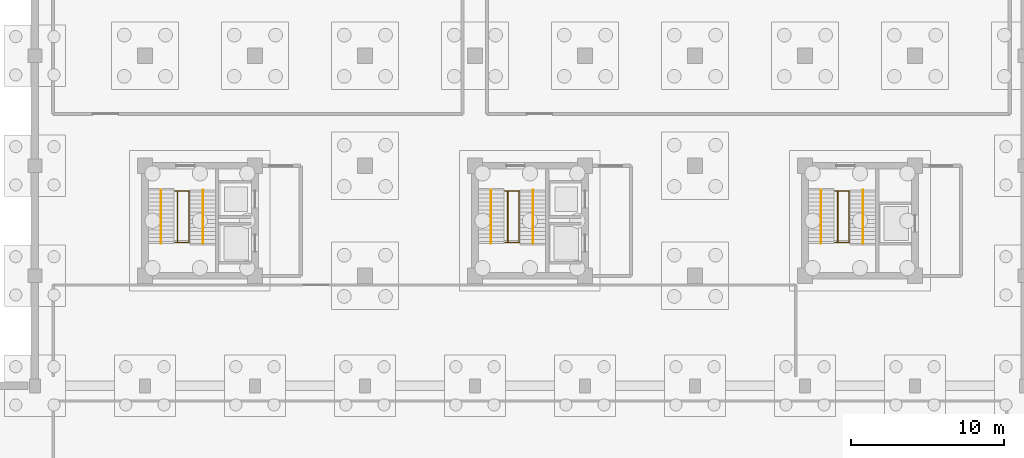
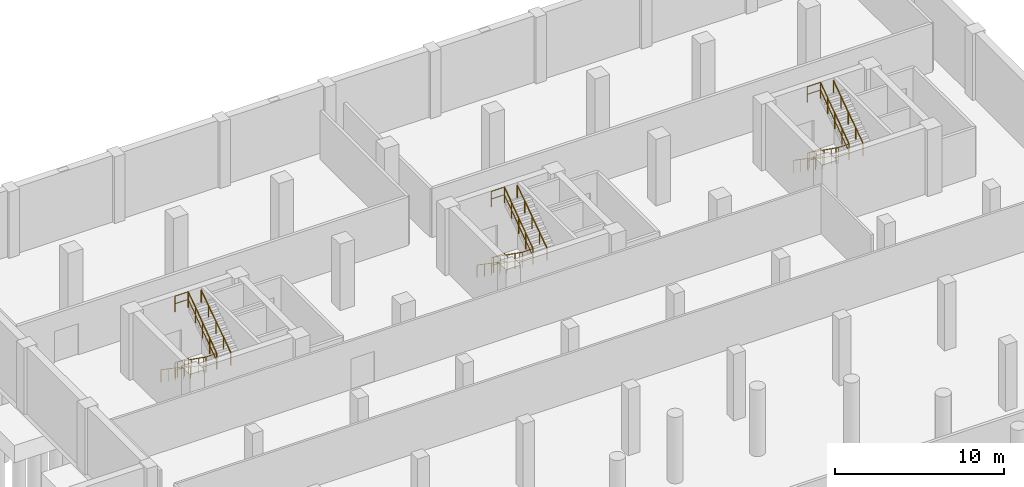
# One storey, part 17 of 19: 21 railings.
"""IFC4 building model written with IfcOpenShell, lengths in metres."""

from ifc_helpers import new_model, si_unit, direction, frame, origin, origin_2d, place, context, subcontext, project, spatial, circle, extrude, material, type_object, element, save


model = new_model("IFC4")

# Units and contexts
model_context = context("Model", 3, precision=1e-05, world=origin(), true_north=direction((0.0, 1.0)))
body_context = subcontext(model_context, "Body", "Model", "MODEL_VIEW")
ifc_project = project(units=[si_unit("LENGTHUNIT", "METRE"), si_unit("AREAUNIT", "SQUARE_METRE"), si_unit("VOLUMEUNIT", "CUBIC_METRE"), si_unit("PLANEANGLEUNIT", "RADIAN"), si_unit("MASSUNIT", "GRAM", prefix="KILO")], contexts=[model_context])

# Site, building, storey
site_placement = place(None, origin())
site = spatial("IfcSite", under=ifc_project, at=site_placement, CompositionType="ELEMENT")
building_placement = place(site_placement, origin())
building = spatial("IfcBuilding", under=site, at=building_placement, Name="Qiaolan Assembly House", CompositionType="ELEMENT")
storey_placement = place(building_placement, frame((0.0, 0.0, -4.800048828125)))
storey = spatial("IfcBuildingStorey", under=building, at=storey_placement, Name="B1", CompositionType="ELEMENT", Elevation=-4.800048828125)

# Railings
ifc_material = material(Name="Anodised bronze aluminium", Category="aluminium")
railing_type_1 = type_object("IfcRailingType", Name="RAL-GUARD-STAIRWELL-1150", PredefinedType="GUARDRAIL", material=ifc_material)
railing_1_placement = place(storey_placement, frame((45.340087890625, 99.14990234375, 0.0)))
element("IfcRailing", 1, at=railing_1_placement, inside=storey, type_object=railing_type_1, Name="GR-01 stair inner-well guard FLT-CORE-A-B1-1", PredefinedType="GUARDRAIL", context=body_context, shape_type="SweptSolid", body=[
    extrude(circle(Radius=0.02392578125, at=origin_2d()), frame((0.0, 0.0, 1.1259765625), z_axis=(0.0, -0.815334052488, 0.578990831408), x_axis=(1.0, 0.0, 0.0)), (0.0, 0.0, 1.0), 4.1455078125),
    extrude(circle(Radius=0.01611328125, at=origin_2d()), frame((0.0, 0.0, 0.574951171875), z_axis=(0.0, -0.815334052488, 0.578990831408), x_axis=(1.0, 0.0, 0.0)), (0.0, 0.0, 1.0), 4.1455078125),
    extrude(circle(Radius=0.02099609375, at=origin_2d()), origin(), (0.0, 0.0, 1.0), 1.101806640625),
    extrude(circle(Radius=0.02099609375, at=origin_2d()), frame((0.0, -0.844970703125, 0.60009765625)), (0.0, 0.0, 1.0), 1.101806640625),
    extrude(circle(Radius=0.02099609375, at=origin_2d()), frame((0.0, -1.68994140625, 1.2001953125)), (0.0, 0.0, 1.0), 1.101806640625),
    extrude(circle(Radius=0.02099609375, at=origin_2d()), frame((0.0, -2.534912109375, 1.800048828125)), (0.0, 0.0, 1.0), 1.101806640625),
    extrude(circle(Radius=0.02099609375, at=origin_2d()), frame((0.0, -3.3798828125, 2.400146484375)), (0.0, 0.0, 1.0), 1.101806640625),
])
railing_2_placement = place(storey_placement, frame((46.080078125, 95.77001953125, 2.400146484375)))
element("IfcRailing", 2, at=railing_2_placement, inside=storey, type_object=railing_type_1, Name="GR-01 stair inner-well guard FLT-CORE-A-B1-2", PredefinedType="GUARDRAIL", context=body_context, shape_type="SweptSolid", body=[
    extrude(circle(Radius=0.02392578125, at=origin_2d()), frame((0.0, 0.0, 1.1259765625), z_axis=(0.0, 0.81536185483, 0.578951678198), x_axis=(-1.0, 0.0, 0.0)), (0.0, 0.0, 1.0), 4.145263671875),
    extrude(circle(Radius=0.01611328125, at=origin_2d()), frame((0.0, 0.0, 0.574951171875), z_axis=(0.0, 0.81536185483, 0.578951678198), x_axis=(-1.0, 0.0, 0.0)), (0.0, 0.0, 1.0), 4.145263671875),
    extrude(circle(Radius=0.02099609375, at=origin_2d()), origin(), (0.0, 0.0, 1.0), 1.101806640625),
    extrude(circle(Radius=0.02099609375, at=origin_2d()), frame((0.0, 0.844970703125, 0.60009765625)), (0.0, 0.0, 1.0), 1.101806640625),
    extrude(circle(Radius=0.02099609375, at=origin_2d()), frame((0.0, 1.68994140625, 1.199951171875)), (0.0, 0.0, 1.0), 1.101806640625),
    extrude(circle(Radius=0.02099609375, at=origin_2d()), frame((0.0, 2.534912109375, 1.7998046875)), (0.0, 0.0, 1.0), 1.101806640625),
    extrude(circle(Radius=0.02099609375, at=origin_2d()), frame((0.0, 3.3798828125, 2.39990234375)), (0.0, 0.0, 1.0), 1.101806640625),
])
for number, where, name in (
    (3, (45.179931640625, 95.77001953125, 2.400146484375), "GR-01 stairwell landing guard CORE-A B1-1"),
    (4, (45.179931640625, 99.14990234375, 4.800048828125), "GR-01 stairwell landing guard CORE-A B1-2"),
    (5, (45.179931640625, 99.14990234375, 0.0), "GR-01 stairwell landing guard CORE-A B1-3"),
):
    element("IfcRailing", number, at=place(storey_placement, frame(where)), inside=storey, type_object=railing_type_1, Name=name, PredefinedType="GUARDRAIL", context=body_context, shape_type="SweptSolid", body=[
        extrude(circle(Radius=0.02392578125, at=origin_2d()), frame((0.0, 0.0, 1.1259765625), z_axis=(1.0, 0.0, 0.0), x_axis=(0.0, 1.0, 0.0)), (0.0, 0.0, 1.0), 0.920166015625),
        extrude(circle(Radius=0.01611328125, at=origin_2d()), frame((0.0, 0.0, 0.574951171875), z_axis=(1.0, 0.0, 0.0), x_axis=(0.0, 1.0, 0.0)), (0.0, 0.0, 1.0), 0.920166015625),
        extrude(circle(Radius=0.02099609375, at=origin_2d()), origin(), (0.0, 0.0, 1.0), 1.101806640625),
        extrude(circle(Radius=0.02099609375, at=origin_2d()), frame((0.920166015625, 0.0, 0.0)), (0.0, 0.0, 1.0), 1.101806640625),
    ])
railing_3_placement = place(storey_placement, frame((66.93994140625, 99.14990234375, 0.0)))
element("IfcRailing", 6, at=railing_3_placement, inside=storey, type_object=railing_type_1, Name="GR-01 stair inner-well guard FLT-CORE-B-B1-1", PredefinedType="GUARDRAIL", context=body_context, shape_type="SweptSolid", body=[
    extrude(circle(Radius=0.02392578125, at=origin_2d()), frame((0.0, 0.0, 1.1259765625), z_axis=(0.0, -0.815334052488, 0.578990831408), x_axis=(1.0, 0.0, 0.0)), (0.0, 0.0, 1.0), 4.1455078125),
    extrude(circle(Radius=0.01611328125, at=origin_2d()), frame((0.0, 0.0, 0.574951171875), z_axis=(0.0, -0.815334052488, 0.578990831408), x_axis=(1.0, 0.0, 0.0)), (0.0, 0.0, 1.0), 4.1455078125),
    extrude(circle(Radius=0.02099609375, at=origin_2d()), origin(), (0.0, 0.0, 1.0), 1.101806640625),
    extrude(circle(Radius=0.02099609375, at=origin_2d()), frame((0.0, -0.844970703125, 0.60009765625)), (0.0, 0.0, 1.0), 1.101806640625),
    extrude(circle(Radius=0.02099609375, at=origin_2d()), frame((0.0, -1.68994140625, 1.2001953125)), (0.0, 0.0, 1.0), 1.101806640625),
    extrude(circle(Radius=0.02099609375, at=origin_2d()), frame((0.0, -2.534912109375, 1.800048828125)), (0.0, 0.0, 1.0), 1.101806640625),
    extrude(circle(Radius=0.02099609375, at=origin_2d()), frame((0.0, -3.3798828125, 2.400146484375)), (0.0, 0.0, 1.0), 1.101806640625),
])
railing_4_placement = place(storey_placement, frame((67.679931640625, 95.77001953125, 2.400146484375)))
element("IfcRailing", 7, at=railing_4_placement, inside=storey, type_object=railing_type_1, Name="GR-01 stair inner-well guard FLT-CORE-B-B1-2", PredefinedType="GUARDRAIL", context=body_context, shape_type="SweptSolid", body=[
    extrude(circle(Radius=0.02392578125, at=origin_2d()), frame((0.0, 0.0, 1.1259765625), z_axis=(0.0, 0.81536185483, 0.578951678198), x_axis=(-1.0, 0.0, 0.0)), (0.0, 0.0, 1.0), 4.145263671875),
    extrude(circle(Radius=0.01611328125, at=origin_2d()), frame((0.0, 0.0, 0.574951171875), z_axis=(0.0, 0.81536185483, 0.578951678198), x_axis=(-1.0, 0.0, 0.0)), (0.0, 0.0, 1.0), 4.145263671875),
    extrude(circle(Radius=0.02099609375, at=origin_2d()), origin(), (0.0, 0.0, 1.0), 1.101806640625),
    extrude(circle(Radius=0.02099609375, at=origin_2d()), frame((0.0, 0.844970703125, 0.60009765625)), (0.0, 0.0, 1.0), 1.101806640625),
    extrude(circle(Radius=0.02099609375, at=origin_2d()), frame((0.0, 1.68994140625, 1.199951171875)), (0.0, 0.0, 1.0), 1.101806640625),
    extrude(circle(Radius=0.02099609375, at=origin_2d()), frame((0.0, 2.534912109375, 1.7998046875)), (0.0, 0.0, 1.0), 1.101806640625),
    extrude(circle(Radius=0.02099609375, at=origin_2d()), frame((0.0, 3.3798828125, 2.39990234375)), (0.0, 0.0, 1.0), 1.101806640625),
])
for number, where, name in (
    (8, (66.780029296875, 95.77001953125, 2.400146484375), "GR-01 stairwell landing guard CORE-B B1-1"),
    (9, (66.780029296875, 99.14990234375, 4.800048828125), "GR-01 stairwell landing guard CORE-B B1-2"),
    (10, (66.780029296875, 99.14990234375, 0.0), "GR-01 stairwell landing guard CORE-B B1-3"),
):
    element("IfcRailing", number, at=place(storey_placement, frame(where)), inside=storey, type_object=railing_type_1, Name=name, PredefinedType="GUARDRAIL", context=body_context, shape_type="SweptSolid", body=[
        extrude(circle(Radius=0.02392578125, at=origin_2d()), frame((0.0, 0.0, 1.1259765625), z_axis=(1.0, 0.0, 0.0), x_axis=(0.0, 1.0, 0.0)), (0.0, 0.0, 1.0), 0.919921875),
        extrude(circle(Radius=0.01611328125, at=origin_2d()), frame((0.0, 0.0, 0.574951171875), z_axis=(1.0, 0.0, 0.0), x_axis=(0.0, 1.0, 0.0)), (0.0, 0.0, 1.0), 0.919921875),
        extrude(circle(Radius=0.02099609375, at=origin_2d()), origin(), (0.0, 0.0, 1.0), 1.101806640625),
        extrude(circle(Radius=0.02099609375, at=origin_2d()), frame((0.919921875, 0.0, 0.0)), (0.0, 0.0, 1.0), 1.101806640625),
    ])
railing_5_placement = place(storey_placement, frame((88.5400390625, 99.14990234375, 0.0)))
element("IfcRailing", 11, at=railing_5_placement, inside=storey, type_object=railing_type_1, Name="GR-01 stair inner-well guard FLT-CORE-G-B1-1", PredefinedType="GUARDRAIL", context=body_context, shape_type="SweptSolid", body=[
    extrude(circle(Radius=0.02392578125, at=origin_2d()), frame((0.0, 0.0, 1.1259765625), z_axis=(0.0, -0.815334052488, 0.578990831408), x_axis=(1.0, 0.0, 0.0)), (0.0, 0.0, 1.0), 4.1455078125),
    extrude(circle(Radius=0.01611328125, at=origin_2d()), frame((0.0, 0.0, 0.574951171875), z_axis=(0.0, -0.815334052488, 0.578990831408), x_axis=(1.0, 0.0, 0.0)), (0.0, 0.0, 1.0), 4.1455078125),
    extrude(circle(Radius=0.02099609375, at=origin_2d()), origin(), (0.0, 0.0, 1.0), 1.101806640625),
    extrude(circle(Radius=0.02099609375, at=origin_2d()), frame((0.0, -0.844970703125, 0.60009765625)), (0.0, 0.0, 1.0), 1.101806640625),
    extrude(circle(Radius=0.02099609375, at=origin_2d()), frame((0.0, -1.68994140625, 1.2001953125)), (0.0, 0.0, 1.0), 1.101806640625),
    extrude(circle(Radius=0.02099609375, at=origin_2d()), frame((0.0, -2.534912109375, 1.800048828125)), (0.0, 0.0, 1.0), 1.101806640625),
    extrude(circle(Radius=0.02099609375, at=origin_2d()), frame((0.0, -3.3798828125, 2.400146484375)), (0.0, 0.0, 1.0), 1.101806640625),
])
railing_6_placement = place(storey_placement, frame((89.280029296875, 95.77001953125, 2.400146484375)))
element("IfcRailing", 12, at=railing_6_placement, inside=storey, type_object=railing_type_1, Name="GR-01 stair inner-well guard FLT-CORE-G-B1-2", PredefinedType="GUARDRAIL", context=body_context, shape_type="SweptSolid", body=[
    extrude(circle(Radius=0.02392578125, at=origin_2d()), frame((0.0, 0.0, 1.1259765625), z_axis=(0.0, 0.81536185483, 0.578951678198), x_axis=(-1.0, 0.0, 0.0)), (0.0, 0.0, 1.0), 4.145263671875),
    extrude(circle(Radius=0.01611328125, at=origin_2d()), frame((0.0, 0.0, 0.574951171875), z_axis=(0.0, 0.81536185483, 0.578951678198), x_axis=(-1.0, 0.0, 0.0)), (0.0, 0.0, 1.0), 4.145263671875),
    extrude(circle(Radius=0.02099609375, at=origin_2d()), origin(), (0.0, 0.0, 1.0), 1.101806640625),
    extrude(circle(Radius=0.02099609375, at=origin_2d()), frame((0.0, 0.844970703125, 0.60009765625)), (0.0, 0.0, 1.0), 1.101806640625),
    extrude(circle(Radius=0.02099609375, at=origin_2d()), frame((0.0, 1.68994140625, 1.199951171875)), (0.0, 0.0, 1.0), 1.101806640625),
    extrude(circle(Radius=0.02099609375, at=origin_2d()), frame((0.0, 2.534912109375, 1.7998046875)), (0.0, 0.0, 1.0), 1.101806640625),
    extrude(circle(Radius=0.02099609375, at=origin_2d()), frame((0.0, 3.3798828125, 2.39990234375)), (0.0, 0.0, 1.0), 1.101806640625),
])
for number, where, name in (
    (13, (88.3798828125, 95.77001953125, 2.400146484375), "GR-01 stairwell landing guard CORE-G B1-1"),
    (14, (88.3798828125, 99.14990234375, 4.800048828125), "GR-01 stairwell landing guard CORE-G B1-2"),
    (15, (88.3798828125, 99.14990234375, 0.0), "GR-01 stairwell landing guard CORE-G B1-3"),
):
    element("IfcRailing", number, at=place(storey_placement, frame(where)), inside=storey, type_object=railing_type_1, Name=name, PredefinedType="GUARDRAIL", context=body_context, shape_type="SweptSolid", body=[
        extrude(circle(Radius=0.02392578125, at=origin_2d()), frame((0.0, 0.0, 1.1259765625), z_axis=(1.0, 0.0, 0.0), x_axis=(0.0, 1.0, 0.0)), (0.0, 0.0, 1.0), 0.920166015625),
        extrude(circle(Radius=0.01611328125, at=origin_2d()), frame((0.0, 0.0, 0.574951171875), z_axis=(1.0, 0.0, 0.0), x_axis=(0.0, 1.0, 0.0)), (0.0, 0.0, 1.0), 0.920166015625),
        extrude(circle(Radius=0.02099609375, at=origin_2d()), origin(), (0.0, 0.0, 1.0), 1.101806640625),
        extrude(circle(Radius=0.02099609375, at=origin_2d()), frame((0.920166015625, 0.0, 0.0)), (0.0, 0.0, 1.0), 1.101806640625),
    ])
railing_type_2 = type_object("IfcRailingType", Name="RAL-HANDRAIL-STAIR-920", PredefinedType="HANDRAIL", material=ifc_material)
railing_7_placement = place(storey_placement, frame((44.25, 99.2099609375, 0.0)))
element("IfcRailing", 16, at=railing_7_placement, inside=storey, type_object=railing_type_2, Name="HR-01 stair handrail FLT-CORE-A-B1-1", PredefinedType="HANDRAIL", context=body_context, shape_type="SweptSolid", body=[
    extrude(circle(Radius=0.02392578125, at=origin_2d()), frame((0.0, 0.0, 0.89599609375), z_axis=(0.0, -0.824712752785, 0.565551832633), x_axis=(1.0, 0.0, 0.0)), (0.0, 0.0, 1.0), 4.243896484375),
    extrude(circle(Radius=0.02099609375, at=origin_2d()), origin(), (0.0, 0.0, 1.0), 0.871826171875),
    extrude(circle(Radius=0.02099609375, at=origin_2d()), frame((0.0, -0.875, 0.60009765625)), (0.0, 0.0, 1.0), 0.871826171875),
    extrude(circle(Radius=0.02099609375, at=origin_2d()), frame((0.0, -1.75, 1.2001953125)), (0.0, 0.0, 1.0), 0.871826171875),
    extrude(circle(Radius=0.02099609375, at=origin_2d()), frame((0.0, -2.625, 1.800048828125)), (0.0, 0.0, 1.0), 0.871826171875),
    extrude(circle(Radius=0.02099609375, at=origin_2d()), frame((0.0, -3.5, 2.400146484375)), (0.0, 0.0, 1.0), 0.871826171875),
])
railing_8_placement = place(storey_placement, frame((47.0, 95.7099609375, 2.400146484375)))
element("IfcRailing", 17, at=railing_8_placement, inside=storey, type_object=railing_type_2, Name="HR-01 stair handrail FLT-CORE-A-B1-2", PredefinedType="HANDRAIL", context=body_context, shape_type="SweptSolid", body=[
    extrude(circle(Radius=0.02392578125, at=origin_2d()), frame((0.0, 0.0, 0.89599609375), z_axis=(0.0, 0.824739584531, 0.5655127034), x_axis=(-1.0, 0.0, 0.0)), (0.0, 0.0, 1.0), 4.24365234375),
    extrude(circle(Radius=0.02099609375, at=origin_2d()), origin(), (0.0, 0.0, 1.0), 0.871826171875),
    extrude(circle(Radius=0.02099609375, at=origin_2d()), frame((0.0, 0.875, 0.60009765625)), (0.0, 0.0, 1.0), 0.871826171875),
    extrude(circle(Radius=0.02099609375, at=origin_2d()), frame((0.0, 1.75, 1.199951171875)), (0.0, 0.0, 1.0), 0.871826171875),
    extrude(circle(Radius=0.02099609375, at=origin_2d()), frame((0.0, 2.625, 1.7998046875)), (0.0, 0.0, 1.0), 0.871826171875),
    extrude(circle(Radius=0.02099609375, at=origin_2d()), frame((0.0, 3.5, 2.39990234375)), (0.0, 0.0, 1.0), 0.871826171875),
])
railing_9_placement = place(storey_placement, frame((65.85009765625, 99.2099609375, 0.0)))
element("IfcRailing", 18, at=railing_9_placement, inside=storey, type_object=railing_type_2, Name="HR-01 stair handrail FLT-CORE-B-B1-1", PredefinedType="HANDRAIL", context=body_context, shape_type="SweptSolid", body=[
    extrude(circle(Radius=0.02392578125, at=origin_2d()), frame((0.0, 0.0, 0.89599609375), z_axis=(0.0, -0.824712752785, 0.565551832633), x_axis=(1.0, 0.0, 0.0)), (0.0, 0.0, 1.0), 4.243896484375),
    extrude(circle(Radius=0.02099609375, at=origin_2d()), origin(), (0.0, 0.0, 1.0), 0.871826171875),
    extrude(circle(Radius=0.02099609375, at=origin_2d()), frame((0.0, -0.875, 0.60009765625)), (0.0, 0.0, 1.0), 0.871826171875),
    extrude(circle(Radius=0.02099609375, at=origin_2d()), frame((0.0, -1.75, 1.2001953125)), (0.0, 0.0, 1.0), 0.871826171875),
    extrude(circle(Radius=0.02099609375, at=origin_2d()), frame((0.0, -2.625, 1.800048828125)), (0.0, 0.0, 1.0), 0.871826171875),
    extrude(circle(Radius=0.02099609375, at=origin_2d()), frame((0.0, -3.5, 2.400146484375)), (0.0, 0.0, 1.0), 0.871826171875),
])
railing_10_placement = place(storey_placement, frame((68.60009765625, 95.7099609375, 2.400146484375)))
element("IfcRailing", 19, at=railing_10_placement, inside=storey, type_object=railing_type_2, Name="HR-01 stair handrail FLT-CORE-B-B1-2", PredefinedType="HANDRAIL", context=body_context, shape_type="SweptSolid", body=[
    extrude(circle(Radius=0.02392578125, at=origin_2d()), frame((0.0, 0.0, 0.89599609375), z_axis=(0.0, 0.824739584531, 0.5655127034), x_axis=(-1.0, 0.0, 0.0)), (0.0, 0.0, 1.0), 4.24365234375),
    extrude(circle(Radius=0.02099609375, at=origin_2d()), origin(), (0.0, 0.0, 1.0), 0.871826171875),
    extrude(circle(Radius=0.02099609375, at=origin_2d()), frame((0.0, 0.875, 0.60009765625)), (0.0, 0.0, 1.0), 0.871826171875),
    extrude(circle(Radius=0.02099609375, at=origin_2d()), frame((0.0, 1.75, 1.199951171875)), (0.0, 0.0, 1.0), 0.871826171875),
    extrude(circle(Radius=0.02099609375, at=origin_2d()), frame((0.0, 2.625, 1.7998046875)), (0.0, 0.0, 1.0), 0.871826171875),
    extrude(circle(Radius=0.02099609375, at=origin_2d()), frame((0.0, 3.5, 2.39990234375)), (0.0, 0.0, 1.0), 0.871826171875),
])
railing_11_placement = place(storey_placement, frame((87.449951171875, 99.2099609375, 0.0)))
element("IfcRailing", 20, at=railing_11_placement, inside=storey, type_object=railing_type_2, Name="HR-01 stair handrail FLT-CORE-G-B1-1", PredefinedType="HANDRAIL", context=body_context, shape_type="SweptSolid", body=[
    extrude(circle(Radius=0.02392578125, at=origin_2d()), frame((0.0, 0.0, 0.89599609375), z_axis=(0.0, -0.824712752785, 0.565551832633), x_axis=(1.0, 0.0, 0.0)), (0.0, 0.0, 1.0), 4.243896484375),
    extrude(circle(Radius=0.02099609375, at=origin_2d()), origin(), (0.0, 0.0, 1.0), 0.871826171875),
    extrude(circle(Radius=0.02099609375, at=origin_2d()), frame((0.0, -0.875, 0.60009765625)), (0.0, 0.0, 1.0), 0.871826171875),
    extrude(circle(Radius=0.02099609375, at=origin_2d()), frame((0.0, -1.75, 1.2001953125)), (0.0, 0.0, 1.0), 0.871826171875),
    extrude(circle(Radius=0.02099609375, at=origin_2d()), frame((0.0, -2.625, 1.800048828125)), (0.0, 0.0, 1.0), 0.871826171875),
    extrude(circle(Radius=0.02099609375, at=origin_2d()), frame((0.0, -3.5, 2.400146484375)), (0.0, 0.0, 1.0), 0.871826171875),
])
railing_12_placement = place(storey_placement, frame((90.199951171875, 95.7099609375, 2.400146484375)))
element("IfcRailing", 21, at=railing_12_placement, inside=storey, type_object=railing_type_2, Name="HR-01 stair handrail FLT-CORE-G-B1-2", PredefinedType="HANDRAIL", context=body_context, shape_type="SweptSolid", body=[
    extrude(circle(Radius=0.02392578125, at=origin_2d()), frame((0.0, 0.0, 0.89599609375), z_axis=(0.0, 0.824739584531, 0.5655127034), x_axis=(-1.0, 0.0, 0.0)), (0.0, 0.0, 1.0), 4.24365234375),
    extrude(circle(Radius=0.02099609375, at=origin_2d()), origin(), (0.0, 0.0, 1.0), 0.871826171875),
    extrude(circle(Radius=0.02099609375, at=origin_2d()), frame((0.0, 0.875, 0.60009765625)), (0.0, 0.0, 1.0), 0.871826171875),
    extrude(circle(Radius=0.02099609375, at=origin_2d()), frame((0.0, 1.75, 1.199951171875)), (0.0, 0.0, 1.0), 0.871826171875),
    extrude(circle(Radius=0.02099609375, at=origin_2d()), frame((0.0, 2.625, 1.7998046875)), (0.0, 0.0, 1.0), 0.871826171875),
    extrude(circle(Radius=0.02099609375, at=origin_2d()), frame((0.0, 3.5, 2.39990234375)), (0.0, 0.0, 1.0), 0.871826171875),
])

save(model, "model.ifc")
